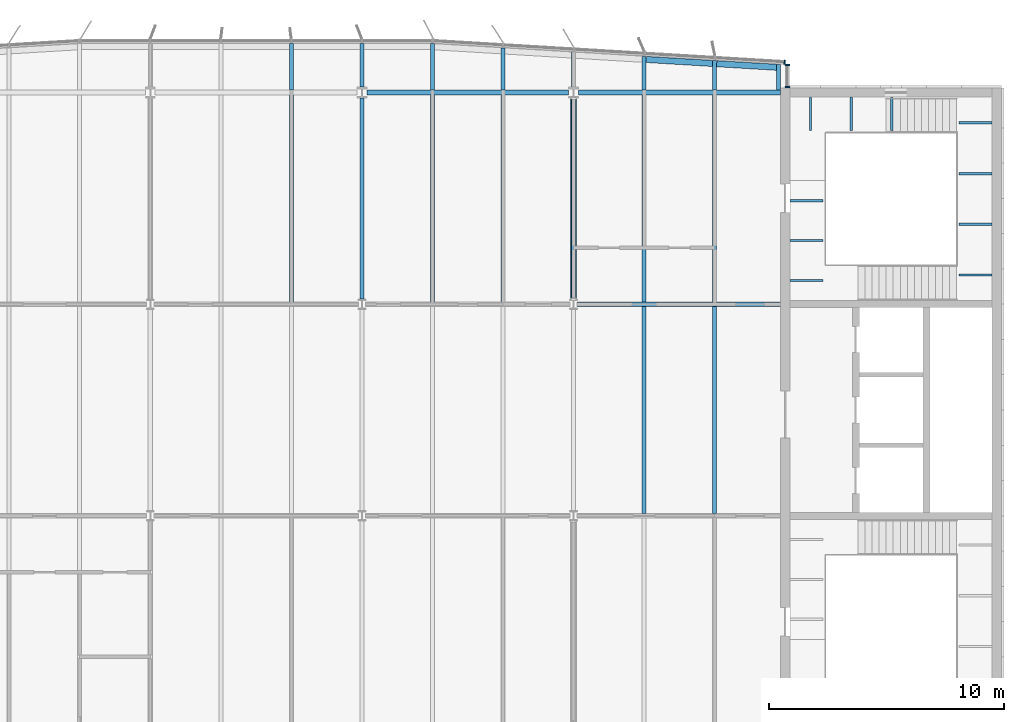
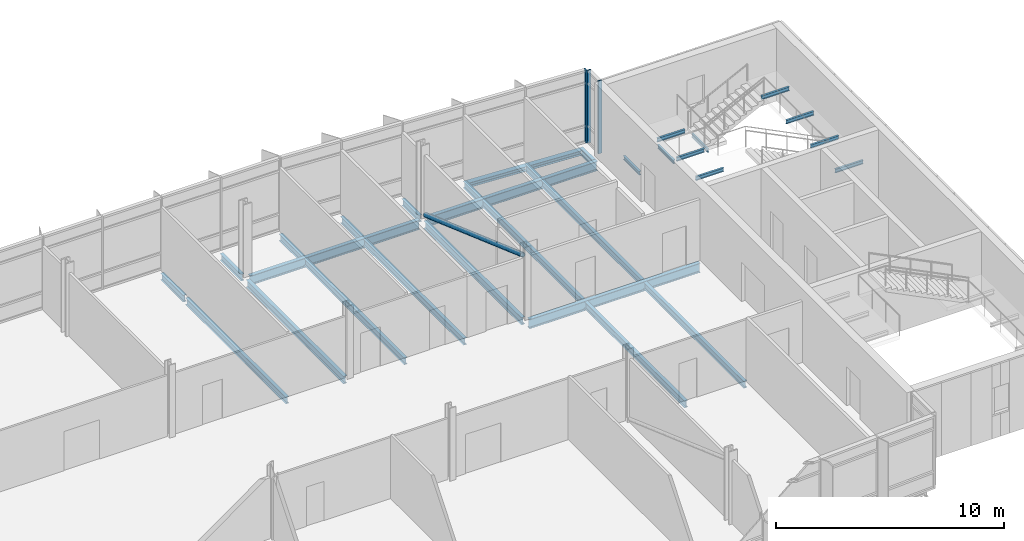
# One storey, part 7 of 18: 32 beams, 4 members, 2 elements without a shape of their own.
"""IFC4 building model written with IfcOpenShell, lengths in metres."""

from ifc_helpers import new_model, si_unit, direction, frame, origin, origin_2d, place, context, subcontext, project, spatial, rectangle, hollow_circle, i_section, extrude, material, material_profile, profile_set, type_object, element, aggregate, save


model = new_model("IFC4")

# Units and contexts
model_context = context("Model", 3, precision=1e-05, world=origin(), true_north=direction((0.0, 1.0)))
body_context = subcontext(model_context, "Body", "Model", "MODEL_VIEW")
ifc_project = project(units=[si_unit("LENGTHUNIT", "METRE"), si_unit("AREAUNIT", "SQUARE_METRE"), si_unit("VOLUMEUNIT", "CUBIC_METRE"), si_unit("PLANEANGLEUNIT", "RADIAN"), si_unit("MASSUNIT", "GRAM", prefix="KILO")], contexts=[model_context])

# Site, building, storey
site_placement = place(None, origin())
site = spatial("IfcSite", under=ifc_project, at=site_placement, CompositionType="ELEMENT")
building_placement = place(site_placement, origin())
building = spatial("IfcBuilding", under=site, at=building_placement, Name="Azimuth Sports and Learning Centre", CompositionType="ELEMENT")
storey_placement = place(building_placement, frame((0.0, 0.0, 55.800048828125)))
storey = spatial("IfcBuildingStorey", under=building, at=storey_placement, Name="L12", CompositionType="ELEMENT", Elevation=55.800048828125)

# Beams
ifc_material_1 = material(Name="Steel S355", Category="steel")
ifc_material_profile_1 = material_profile(ifc_material_1, i_section(OverallWidth=0.10009765625, OverallDepth=0.199951171875, WebThickness=0.005615234375, FlangeThickness=0.008544921875, FilletRadius=0.011962890625, at=origin_2d()), Name="IPE 200")
ifc_profile_set_1 = profile_set([ifc_material_profile_1], Name="Steel S355")
beam_type_1 = type_object("IfcBeamType", Name="Beam IPE 200", PredefinedType="BEAM", material=ifc_profile_set_1)
for number, where, z_axis, x_axis, name in (
    (1, (109.0732421875, 116.800048828125, -0.300048828125), (0.0, -1.0, 0.0), (1.0, 0.0, 0.0), "Landing bracket E2 L12 653"),
    (2, (110.800048828125, 116.800048828125, -0.300048828125), (0.0, -1.0, 0.0), (1.0, 0.0, 0.0), "Landing bracket E2 L12 654"),
    (3, (112.526611328125, 116.800048828125, -0.300048828125), (0.0, -1.0, 0.0), (1.0, 0.0, 0.0), "Landing bracket E2 L12 655"),
    (4, (116.800048828125, 109.23876953125, 1.349853515625), (-1.0, 0.0, 0.0), (0.0, -1.0, 0.0), "Landing bracket E2 L12 656"),
    (5, (116.800048828125, 111.396240234375, 1.349853515625), (-1.0, 0.0, 0.0), (0.0, -1.0, 0.0), "Landing bracket E2 L12 657"),
    (6, (116.800048828125, 113.5537109375, 1.349853515625), (-1.0, 0.0, 0.0), (0.0, -1.0, 0.0), "Landing bracket E2 L12 658"),
    (7, (116.800048828125, 115.711181640625, 1.349853515625), (-1.0, 0.0, 0.0), (0.0, -1.0, 0.0), "Landing bracket E2 L12 659"),
    (8, (108.199951171875, 109.00830078125, 3.599853515625), (1.0, 0.0, 0.0), (0.0, 1.0, 0.0), "Landing bracket E2 L12 660"),
    (9, (108.199951171875, 110.705078125, 3.599853515625), (1.0, 0.0, 0.0), (0.0, 1.0, 0.0), "Landing bracket E2 L12 661"),
    (10, (108.199951171875, 112.401611328125, 3.599853515625), (1.0, 0.0, 0.0), (0.0, 1.0, 0.0), "Landing bracket E2 L12 662"),
):
    element("IfcBeam", number, at=place(storey_placement, frame(where, z_axis=z_axis, x_axis=x_axis)), inside=storey, type_object=beam_type_1, Name=name, PredefinedType="BEAM", context=body_context, shape_type="SweptSolid", body=[
        extrude(i_section(OverallWidth=0.10009765625, OverallDepth=0.199951171875, WebThickness=0.005615234375, FlangeThickness=0.008544921875, FilletRadius=0.011962890625, at=origin_2d()), origin(), (0.0, 0.0, 1.0), 1.41015625),
    ])
ifc_material_2 = material(Name="Steel S355", Category="steel")
ifc_material_profile_2 = material_profile(ifc_material_2, i_section(OverallWidth=0.179931640625, OverallDepth=0.39990234375, WebThickness=0.008544921875, FlangeThickness=0.013427734375, FilletRadius=0.02099609375, at=origin_2d()), Name="IPE 400")
ifc_profile_set_2 = profile_set([ifc_material_profile_2], Name="Steel S355")
beam_type_2 = type_object("IfcBeamType", Name="Beam IPE 400", PredefinedType="BEAM", material=ifc_profile_set_2)
for number, where, z_axis, x_axis, name in (
    (11, (90.0, 108.216064453125, -0.330078125), (0.0, 1.0, 0.0), (-1.0, 0.0, 0.0), "Tower tie"),
    (12, (99.0, 108.216064453125, -0.330078125), (0.0, 1.0, 0.0), (-1.0, 0.0, 0.0), "Tower tie"),
):
    element("IfcBeam", number, at=place(storey_placement, frame(where, z_axis=z_axis, x_axis=x_axis)), inside=storey, type_object=beam_type_2, Name=name, PredefinedType="BEAM", context=body_context, shape_type="SweptSolid", body=[
        extrude(i_section(OverallWidth=0.179931640625, OverallDepth=0.39990234375, WebThickness=0.008544921875, FlangeThickness=0.013427734375, FilletRadius=0.02099609375, at=origin_2d()), origin(), (0.0, 0.0, 1.0), 8.556396484375),
    ])
ifc_material_3 = material(Name="Steel S355", Category="steel")
ifc_material_profile_3 = material_profile(ifc_material_3, i_section(OverallWidth=0.199951171875, OverallDepth=0.5, WebThickness=0.01025390625, FlangeThickness=0.01611328125, FilletRadius=0.02099609375, at=origin_2d()), Name="IPE 500")
ifc_profile_set_3 = profile_set([ifc_material_profile_3], Name="Steel S355")
beam_type_3 = type_object("IfcBeamType", Name="Beam IPE 500", PredefinedType="BEAM", material=ifc_profile_set_3)
beam_1_placement = place(storey_placement, frame((99.153564453125, 108.0, -0.380126953125), z_axis=(1.0, 0.0, 0.0), x_axis=(0.0, 1.0, 0.0)))
element("IfcBeam", 13, at=beam_1_placement, inside=storey, type_object=beam_type_3, Name="Tower girder L12", PredefinedType="BEAM", context=body_context, shape_type="SweptSolid", body=[
    extrude(i_section(OverallWidth=0.199951171875, OverallDepth=0.5, WebThickness=0.01025390625, FlangeThickness=0.01611328125, FilletRadius=0.02099609375, at=origin_2d()), origin(), (0.0, 0.0, 1.0), 8.646484375),
])
beam_2_placement = place(storey_placement, frame((90.208984375, 117.0, -0.380126953125), z_axis=(1.0, 0.0, 0.0), x_axis=(0.0, 1.0, 0.0)))
element("IfcBeam", 14, at=beam_2_placement, inside=storey, type_object=beam_type_3, Name="Tower girder L12", PredefinedType="BEAM", context=body_context, shape_type="SweptSolid", body=[
    extrude(i_section(OverallWidth=0.199951171875, OverallDepth=0.5, WebThickness=0.01025390625, FlangeThickness=0.01611328125, FilletRadius=0.02099609375, at=origin_2d()), origin(), (0.0, 0.0, 1.0), 8.58203125),
])
beam_3_placement = place(storey_placement, frame((99.208984375, 117.0, -0.380126953125), z_axis=(1.0, 0.0, 0.0), x_axis=(0.0, 1.0, 0.0)))
element("IfcBeam", 15, at=beam_3_placement, inside=storey, type_object=beam_type_3, Name="Tower girder L12", PredefinedType="BEAM", context=body_context, shape_type="SweptSolid", body=[
    extrude(i_section(OverallWidth=0.199951171875, OverallDepth=0.5, WebThickness=0.01025390625, FlangeThickness=0.01611328125, FilletRadius=0.02099609375, at=origin_2d()), origin(), (0.0, 0.0, 1.0), 8.591064453125),
])

# Member
ifc_material_4 = material(Name="Steel S355", Category="steel")
ifc_material_profile_4 = material_profile(ifc_material_4, hollow_circle(Radius=0.122314453125, WallThickness=0.012451171875, at=origin_2d()), Name="CHS 244.5x12.5")
ifc_profile_set_4 = profile_set([ifc_material_profile_4], Name="Steel S355")
member_type_1 = type_object("IfcMemberType", Name="Brace CHS 244.5x12.5", PredefinedType="BRACE", material=ifc_profile_set_4)
member_1_placement = place(storey_placement, frame((99.0, 108.237060546875, 3.2001953125), z_axis=(0.0, 0.942103788853, -0.33532141451), x_axis=(-1.0, 0.0, 0.0)))
element("IfcMember", 16, at=member_1_placement, inside=storey, type_object=member_type_1, Name="Tower brace 12 L12", PredefinedType="BRACE", context=body_context, shape_type="SweptSolid", body=[
    extrude(hollow_circle(Radius=0.122314453125, WallThickness=0.012451171875, at=origin_2d()), origin(), (0.0, 0.0, 1.0), 9.03759765625),
])

# Beams
ifc_material_5 = material(Name="Steel S355", Category="steel")
ifc_material_profile_5 = material_profile(ifc_material_5, i_section(OverallWidth=0.169921875, OverallDepth=0.360107421875, WebThickness=0.008056640625, FlangeThickness=0.0126953125, FilletRadius=0.01806640625, at=origin_2d()), Name="IPE 360")
ifc_profile_set_5 = profile_set([ifc_material_profile_5], Name="Steel S355")
beam_type_4 = type_object("IfcBeamType", Name="Cantilever stub IPE 360", PredefinedType="JOIST", material=ifc_profile_set_5)
beam_4_placement = place(storey_placement, frame((87.0, 117.10009765625, -0.31005859375), z_axis=(0.0, 1.0, 0.0), x_axis=(-1.0, 0.0, 0.0)))
element("IfcBeam", 17, at=beam_4_placement, inside=storey, type_object=beam_type_4, Name="Tower cantilever stub", PredefinedType="JOIST", context=body_context, shape_type="SweptSolid", body=[
    extrude(i_section(OverallWidth=0.169921875, OverallDepth=0.360107421875, WebThickness=0.008056640625, FlangeThickness=0.0126953125, FilletRadius=0.01806640625, at=origin_2d()), origin(), (0.0, 0.0, 1.0), 1.97998046875),
])
beam_5_placement = place(storey_placement, frame((90.0, 117.2275390625, -0.31005859375), z_axis=(0.0, 1.0, 0.0), x_axis=(-1.0, 0.0, 0.0)))
element("IfcBeam", 18, at=beam_5_placement, inside=storey, type_object=beam_type_4, Name="Tower cantilever stub", PredefinedType="JOIST", context=body_context, shape_type="SweptSolid", body=[
    extrude(i_section(OverallWidth=0.169921875, OverallDepth=0.360107421875, WebThickness=0.008056640625, FlangeThickness=0.0126953125, FilletRadius=0.01806640625, at=origin_2d()), origin(), (0.0, 0.0, 1.0), 1.8525390625),
])
beam_6_placement = place(storey_placement, frame((93.0, 117.10009765625, -0.31005859375), z_axis=(0.0, 1.0, 0.0), x_axis=(-1.0, 0.0, 0.0)))
element("IfcBeam", 19, at=beam_6_placement, inside=storey, type_object=beam_type_4, Name="Tower cantilever stub", PredefinedType="JOIST", context=body_context, shape_type="SweptSolid", body=[
    extrude(i_section(OverallWidth=0.169921875, OverallDepth=0.360107421875, WebThickness=0.008056640625, FlangeThickness=0.0126953125, FilletRadius=0.01806640625, at=origin_2d()), origin(), (0.0, 0.0, 1.0), 1.97998046875),
])
beam_7_placement = place(storey_placement, frame((96.0, 117.10009765625, -0.31005859375), z_axis=(0.0, 1.0, 0.0), x_axis=(-1.0, 0.0, 0.0)))
element("IfcBeam", 20, at=beam_7_placement, inside=storey, type_object=beam_type_4, Name="Tower cantilever stub", PredefinedType="JOIST", context=body_context, shape_type="SweptSolid", body=[
    extrude(i_section(OverallWidth=0.169921875, OverallDepth=0.360107421875, WebThickness=0.008056640625, FlangeThickness=0.0126953125, FilletRadius=0.01806640625, at=origin_2d()), origin(), (0.0, 0.0, 1.0), 1.7998046875),
])
beam_8_placement = place(storey_placement, frame((99.0, 117.2275390625, -0.31005859375), z_axis=(0.0, 1.0, 0.0), x_axis=(-1.0, 0.0, 0.0)))
element("IfcBeam", 21, at=beam_8_placement, inside=storey, type_object=beam_type_4, Name="Tower cantilever stub", PredefinedType="JOIST", context=body_context, shape_type="SweptSolid", body=[
    extrude(i_section(OverallWidth=0.169921875, OverallDepth=0.360107421875, WebThickness=0.008056640625, FlangeThickness=0.0126953125, FilletRadius=0.01806640625, at=origin_2d()), origin(), (0.0, 0.0, 1.0), 1.492431640625),
])
beam_9_placement = place(storey_placement, frame((102.0, 117.10009765625, -0.31005859375), z_axis=(0.0, 1.0, 0.0), x_axis=(-1.0, 0.0, 0.0)))
element("IfcBeam", 22, at=beam_9_placement, inside=storey, type_object=beam_type_4, Name="Tower cantilever stub", PredefinedType="JOIST", context=body_context, shape_type="SweptSolid", body=[
    extrude(i_section(OverallWidth=0.169921875, OverallDepth=0.360107421875, WebThickness=0.008056640625, FlangeThickness=0.0126953125, FilletRadius=0.01806640625, at=origin_2d()), origin(), (0.0, 0.0, 1.0), 1.43994140625),
])
beam_10_placement = place(storey_placement, frame((105.0, 117.10009765625, -0.31005859375), z_axis=(0.0, 1.0, 0.0), x_axis=(-1.0, 0.0, 0.0)))
element("IfcBeam", 23, at=beam_10_placement, inside=storey, type_object=beam_type_4, Name="Tower cantilever stub", PredefinedType="JOIST", context=body_context, shape_type="SweptSolid", body=[
    extrude(i_section(OverallWidth=0.169921875, OverallDepth=0.360107421875, WebThickness=0.008056640625, FlangeThickness=0.0126953125, FilletRadius=0.01806640625, at=origin_2d()), origin(), (0.0, 0.0, 1.0), 1.260009765625),
])
beam_11_placement = place(storey_placement, frame((107.715087890625, 117.10009765625, -0.31005859375), z_axis=(0.0, 1.0, 0.0), x_axis=(-1.0, 0.0, 0.0)))
element("IfcBeam", 24, at=beam_11_placement, inside=storey, type_object=beam_type_4, Name="Tower cantilever stub", PredefinedType="JOIST", context=body_context, shape_type="SweptSolid", body=[
    extrude(i_section(OverallWidth=0.169921875, OverallDepth=0.360107421875, WebThickness=0.008056640625, FlangeThickness=0.0126953125, FilletRadius=0.01806640625, at=origin_2d()), origin(), (0.0, 0.0, 1.0), 1.096923828125),
])
ifc_material_6 = material(Name="Steel S355", Category="steel")
ifc_material_profile_6 = material_profile(ifc_material_6, i_section(OverallWidth=0.260009765625, OverallDepth=0.25, WebThickness=0.007568359375, FlangeThickness=0.012451171875, FilletRadius=0.02392578125, at=origin_2d()), Name="HEA 260")
ifc_profile_set_6 = profile_set([ifc_material_profile_6], Name="Steel S355")
beam_type_5 = type_object("IfcBeamType", Name="Edge beam HEA 260", PredefinedType="SPANDREL", material=ifc_profile_set_6)
beam_12_placement = place(storey_placement, frame((102.0849609375, 118.40478515625, -0.255126953125), z_axis=(0.998207521518, -0.059847673176, 0.0), x_axis=(0.059847673176, 0.998207521518, 0.0)))
element("IfcBeam", 25, at=beam_12_placement, inside=storey, type_object=beam_type_5, Name="Tower edge beam", PredefinedType="SPANDREL", context=body_context, shape_type="SweptSolid", body=[
    extrude(i_section(OverallWidth=0.260009765625, OverallDepth=0.25, WebThickness=0.007568359375, FlangeThickness=0.012451171875, FilletRadius=0.02392578125, at=origin_2d()), origin(), (0.0, 0.0, 1.0), 2.835205078125),
])
beam_13_placement = place(storey_placement, frame((105.0849609375, 118.224853515625, -0.255126953125), z_axis=(0.998207363591, -0.059850307199, 0.0), x_axis=(0.059850307199, 0.998207363591, 0.0)))
element("IfcBeam", 26, at=beam_13_placement, inside=storey, type_object=beam_type_5, Name="Tower edge beam", PredefinedType="SPANDREL", context=body_context, shape_type="SweptSolid", body=[
    extrude(i_section(OverallWidth=0.260009765625, OverallDepth=0.25, WebThickness=0.007568359375, FlangeThickness=0.012451171875, FilletRadius=0.02392578125, at=origin_2d()), origin(), (0.0, 0.0, 1.0), 2.549560546875),
])
ifc_material_7 = material(Name="Steel S355", Category="steel")
ifc_material_profile_7 = material_profile(ifc_material_7, i_section(OverallWidth=0.169921875, OverallDepth=0.360107421875, WebThickness=0.008056640625, FlangeThickness=0.0126953125, FilletRadius=0.01806640625, at=origin_2d()), Name="IPE 360")
ifc_profile_set_7 = profile_set([ifc_material_profile_7], Name="Steel S355")
beam_type_6 = type_object("IfcBeamType", Name="Joist IPE 360", PredefinedType="JOIST", material=ifc_profile_set_7)
for number, where, z_axis, x_axis, name in (
    (27, (87.0, 108.10009765625, -0.31005859375), (0.0, 1.0, 0.0), (-1.0, 0.0, 0.0), "Tower joist"),
    (28, (93.0, 108.10009765625, -0.31005859375), (0.0, 1.0, 0.0), (-1.0, 0.0, 0.0), "Tower joist"),
    (29, (96.0, 108.10009765625, -0.31005859375), (0.0, 1.0, 0.0), (-1.0, 0.0, 0.0), "Tower joist"),
    (30, (102.0, 99.10009765625, -0.31005859375), (0.0, 1.0, 0.0), (-1.0, 0.0, 0.0), "Tower joist"),
    (31, (102.0, 108.10009765625, -0.31005859375), (0.0, 1.0, 0.0), (-1.0, 0.0, 0.0), "Tower joist"),
    (32, (105.0, 99.10009765625, -0.31005859375), (0.0, 1.0, 0.0), (-1.0, 0.0, 0.0), "Tower joist"),
    (33, (105.0, 108.10009765625, -0.31005859375), (0.0, 1.0, 0.0), (-1.0, 0.0, 0.0), "Tower joist"),
):
    element("IfcBeam", number, at=place(storey_placement, frame(where, z_axis=z_axis, x_axis=x_axis)), inside=storey, type_object=beam_type_6, Name=name, PredefinedType="JOIST", context=body_context, shape_type="SweptSolid", body=[
        extrude(i_section(OverallWidth=0.169921875, OverallDepth=0.360107421875, WebThickness=0.008056640625, FlangeThickness=0.0126953125, FilletRadius=0.01806640625, at=origin_2d()), origin(), (0.0, 0.0, 1.0), 8.7998046875),
    ])

# Curtain wall, members
ifc_material_8 = material(Name="Aluminium and glass", Category="aluminium")
curtain_wall_type_1 = type_object("IfcCurtainWallType", Name="Curtain wall tower return 180", PredefinedType="NOTDEFINED", material=ifc_material_8)
curtain_wall_1_placement = place(storey_placement, origin())
curtain_wall_1 = element("IfcCurtainWall", 34, at=curtain_wall_1_placement, inside=storey, type_object=curtain_wall_type_1, Name="Curtain wall CW12-006", PredefinedType="NOTDEFINED")
ifc_material_9 = material(Name="Aluminium", Category="aluminium")
ifc_material_profile_8 = material_profile(ifc_material_9, rectangle(XDim=0.179931640625, YDim=0.06005859375, at=origin_2d()), Name="Mullion 60x180")
ifc_profile_set_8 = profile_set([ifc_material_profile_8], Name="Aluminium")
member_type_2 = type_object("IfcMemberType", Name="Mullion 60x180", PredefinedType="MULLION", material=ifc_profile_set_8)
member_2_placement = place(storey_placement, frame((108.090087890625, 117.22998046875, 0.0), z_axis=(0.0, 0.0, 1.0), x_axis=(-1.0, 0.0, 0.0)))
member_2 = element("IfcMember", 35, at=member_2_placement, type_object=member_type_2, Name="CW12-006 mullion 1", PredefinedType="MULLION", context=body_context, shape_type="SweptSolid", body=[
    extrude(rectangle(XDim=0.179931640625, YDim=0.06005859375, at=origin_2d()), origin(), (0.0, 0.0, 1.0), 3.89990234375),
])
member_3_placement = place(storey_placement, frame((108.090087890625, 118.169921875, 0.0), z_axis=(0.0, 0.0, 1.0), x_axis=(-1.0, 0.0, 0.0)))
member_3 = element("IfcMember", 36, at=member_3_placement, type_object=member_type_2, Name="CW12-006 mullion 2", PredefinedType="MULLION", context=body_context, shape_type="SweptSolid", body=[
    extrude(rectangle(XDim=0.179931640625, YDim=0.06005859375, at=origin_2d()), origin(), (0.0, 0.0, 1.0), 3.89990234375),
])
aggregate(curtain_wall_1, [member_2, member_3])

# Curtain wall, member
ifc_material_10 = material(Name="Aluminium and glass", Category="aluminium")
curtain_wall_type_2 = type_object("IfcCurtainWallType", Name="Curtain wall tower north 180", PredefinedType="NOTDEFINED", material=ifc_material_10)
curtain_wall_2_placement = place(storey_placement, origin())
curtain_wall_2 = element("IfcCurtainWall", 37, at=curtain_wall_2_placement, inside=storey, type_object=curtain_wall_type_2, Name="Curtain wall CW12-007", PredefinedType="NOTDEFINED")
member_4_placement = place(storey_placement, frame((107.975341796875, 118.291748046875, 0.0), z_axis=(0.0, 0.0, 1.0), x_axis=(-0.059891991812, -0.998204863401, 0.0)))
member_4 = element("IfcMember", 38, at=member_4_placement, type_object=member_type_2, Name="CW12-007 mullion 1", PredefinedType="MULLION", context=body_context, shape_type="SweptSolid", body=[
    extrude(rectangle(XDim=0.179931640625, YDim=0.06005859375, at=origin_2d()), origin(), (0.0, 0.0, 1.0), 3.89990234375),
])
aggregate(curtain_wall_2, [member_4])

save(model, "model.ifc")
